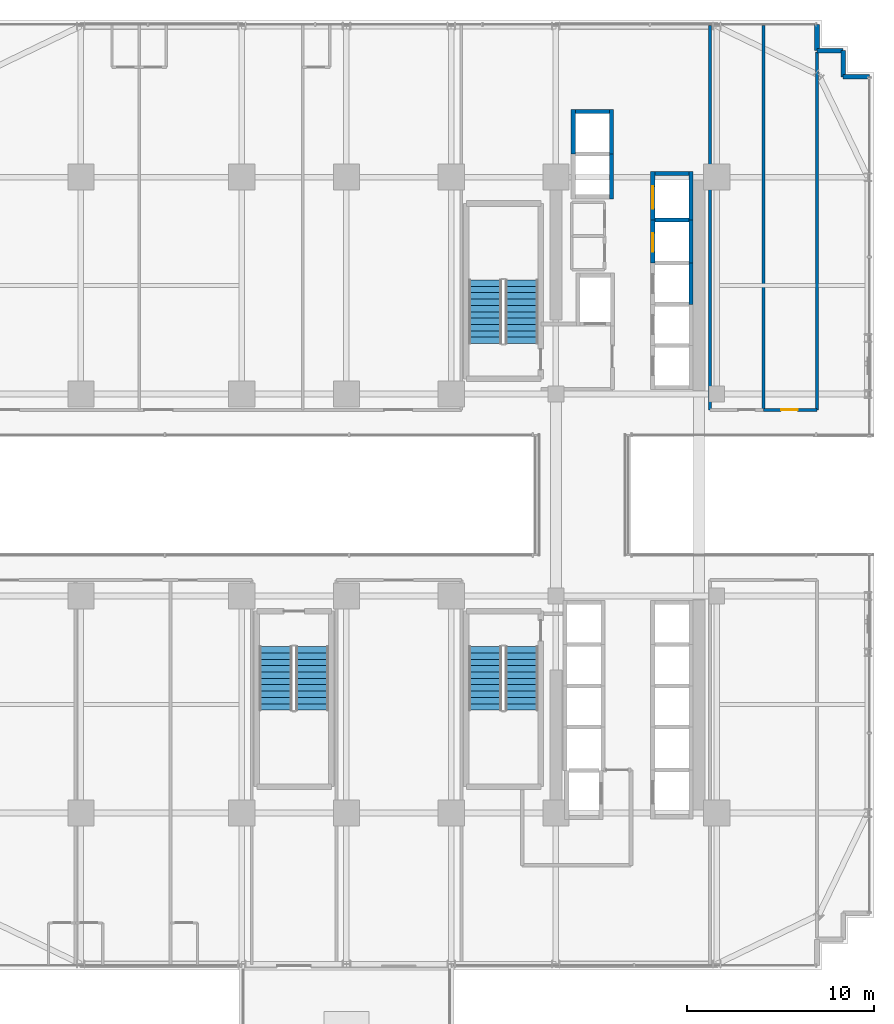
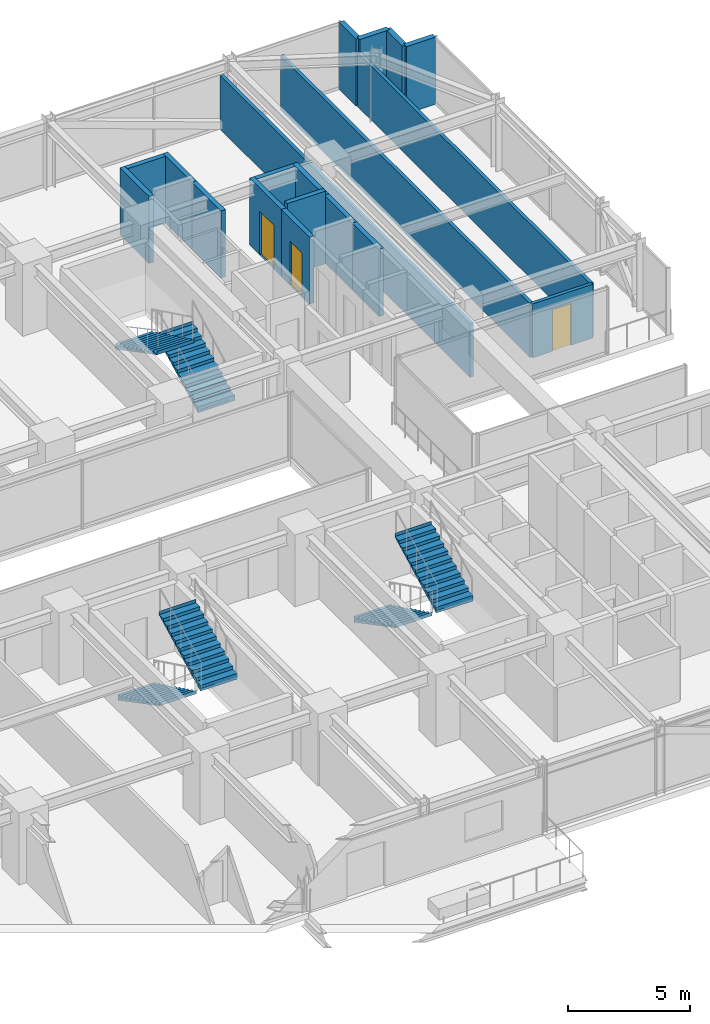
# One storey, part 34 of 38: 19 walls, 6 stair flights, 3 doors, 3 openings, 3 elements without a shape of their own.
"""IFC4 building model written with IfcOpenShell, lengths in metres."""

import ifcopenshell
import ifcopenshell.guid

model = None  # the IFC model being written
_history = None  # IfcOwnerHistory: only IFC2X3 demands one
_inside = {}  # id of a spatial element -> (the spatial element, [elements in it])
_under = {}  # id of a project, library or spatial element -> (it, [spatial elements below it])
_declared = {}  # id of a project -> (the project, [libraries it declares])
_typed = {}  # id of a type object -> (the type object, [elements of that type])
_made_of = {}  # id of a material, layer set ... -> (it, [elements and type objects made of it])


def new_model(schema):
    """Start an empty IFC model of exactly this schema.

    Asked for "IFC4X3", IfcOpenShell would pick the latest addendum, in which some entities
    have other attributes; the version numbers below select the first issue.
    IFC2X3 requires an IfcOwnerHistory on every rooted entity: one is made here for all.
    """
    global model, _history
    if schema == "IFC4X3":
        model = ifcopenshell.file(schema_version=(4, 3, 0, 0))
    else:
        model = ifcopenshell.file(schema=schema)
    _inside.clear()
    _under.clear()
    _declared.clear()
    _typed.clear()
    _made_of.clear()
    _history = None
    if model.schema == "IFC2X3":
        org = make("IfcOrganization", Name="unknown")
        user = make(
            "IfcPersonAndOrganization",
            ThePerson=make("IfcPerson", FamilyName="unknown"),
            TheOrganization=org,
        )
        app = make(
            "IfcApplication",
            ApplicationDeveloper=org,
            Version="unknown",
            ApplicationFullName="unknown",
            ApplicationIdentifier="unknown",
        )
        _history = make(
            "IfcOwnerHistory",
            OwningUser=user,
            OwningApplication=app,
            ChangeAction="ADDED",
            CreationDate=0,
        )
    return model


def make(cls, **values):
    """One entity of the class cls with the attributes given. An attribute that is None is left unset."""
    return model.create_entity(
        cls, **{name: value for name, value in values.items() if value is not None}
    )


def rooted(cls, **values):
    """An entity with a GlobalId (a new one), such as an element, a storey or a relation."""
    return make(cls, GlobalId=ifcopenshell.guid.new(), OwnerHistory=_history, **values)


def si_unit(unit_type, name, prefix=None):
    """IfcSIUnit, for example si_unit("LENGTHUNIT", "METRE", prefix="MILLI")."""
    return make("IfcSIUnit", UnitType=unit_type, Prefix=prefix, Name=name)


def assignment(units):
    """IfcUnitAssignment: the units of a project."""
    return None if units is None else make("IfcUnitAssignment", Units=units)


def point(xyz):
    """IfcCartesianPoint."""
    return None if xyz is None else make("IfcCartesianPoint", Coordinates=xyz)


def direction(xyz):
    """IfcDirection."""
    return None if xyz is None else make("IfcDirection", DirectionRatios=xyz)


def frame(location, z_axis=None, x_axis=None):
    """IfcAxis2Placement3D, a coordinate frame: its origin and axes. An axis left out is left unset."""
    return make(
        "IfcAxis2Placement3D",
        Location=point(location),
        Axis=direction(z_axis),
        RefDirection=direction(x_axis),
    )


def frame_2d(location, x_axis=None):
    """IfcAxis2Placement2D, a coordinate frame in the plane: its origin and x axis."""
    return make(
        "IfcAxis2Placement2D", Location=point(location), RefDirection=direction(x_axis)
    )


def origin():
    """The frame at (0, 0, 0) with its axes left unset."""
    return frame((0.0, 0.0, 0.0))


def place(relative_to, where):
    """IfcLocalPlacement: puts the frame where relative to a parent placement (None: the world)."""
    return make(
        "IfcLocalPlacement", PlacementRelTo=relative_to, RelativePlacement=where
    )


def context(
    kind, dimensions, precision=None, world=None, true_north=None, identifier=None
):
    """IfcGeometricRepresentationContext, for example the 3D "Model" context."""
    return make(
        "IfcGeometricRepresentationContext",
        ContextIdentifier=identifier,
        ContextType=kind,
        CoordinateSpaceDimension=dimensions,
        Precision=precision,
        WorldCoordinateSystem=world,
        TrueNorth=true_north,
    )


def subcontext(parent, identifier, kind, view, scale=None):
    """IfcGeometricRepresentationSubContext, for example "Body" below "Model"."""
    return make(
        "IfcGeometricRepresentationSubContext",
        ContextIdentifier=identifier,
        ContextType=kind,
        ParentContext=parent,
        TargetScale=scale,
        TargetView=view,
    )


def project(units=None, contexts=None):
    """IfcProject with its units and contexts."""
    return rooted(
        "IfcProject",
        Name="project",
        RepresentationContexts=contexts,
        UnitsInContext=assignment(units),
    )


def spatial(cls, under=None, at=None, **own):
    """A site, building, storey or space (cls), placed at a placement, below another one or the project."""
    s = rooted(cls, ObjectPlacement=at, **own)
    if under is not None:
        _under.setdefault(under.id(), (under, []))[1].append(s)
    return s


def polyline(points):
    """IfcPolyline through the points."""
    return make("IfcPolyline", Points=[point(p) for p in points])


def profile(cls, at=None, kind="AREA", **sizes):
    """A parametric profile (cls). Its sizes go by their IFC names, for example OverallWidth=200.0."""
    return make(cls, ProfileType=kind, Position=at, **sizes)


def rectangle(**sizes):
    """IfcRectangleProfileDef."""
    return profile("IfcRectangleProfileDef", **sizes)


def outline(outer, holes=None, kind="AREA"):
    """IfcArbitraryClosedProfileDef: a profile drawn as a closed curve; with holes, ...WithVoids."""
    if holes is None:
        return make("IfcArbitraryClosedProfileDef", ProfileType=kind, OuterCurve=outer)
    return make(
        "IfcArbitraryProfileDefWithVoids",
        ProfileType=kind,
        OuterCurve=outer,
        InnerCurves=holes,
    )


def extrude(swept, where, along, depth):
    """IfcExtrudedAreaSolid: the profile swept, set in the frame where, extruded along a direction by depth."""
    return make(
        "IfcExtrudedAreaSolid",
        SweptArea=swept,
        Position=where,
        ExtrudedDirection=direction(along),
        Depth=depth,
    )


def shape(context_of_items, identifier, shape_type, items):
    """IfcShapeRepresentation: the items that make up one representation, for example the "Body"."""
    return make(
        "IfcShapeRepresentation",
        ContextOfItems=context_of_items,
        RepresentationIdentifier=identifier,
        RepresentationType=shape_type,
        Items=items,
    )


def source(mapping_origin, context_of_items, identifier, shape_type, items):
    """IfcRepresentationMap: a shape defined once, which mapped items show again and again."""
    return make(
        "IfcRepresentationMap",
        MappingOrigin=mapping_origin,
        MappedRepresentation=shape(context_of_items, identifier, shape_type, items),
    )


def transform(
    local_origin,
    x_axis=None,
    y_axis=None,
    z_axis=None,
    scale=None,
    scale2=None,
    scale3=None,
    uniform=True,
):
    """IfcCartesianTransformationOperator3D, or its non-uniform kind. x_axis, y_axis, z_axis: its Axis1, 2, 3."""
    if uniform:
        return make(
            "IfcCartesianTransformationOperator3D",
            Axis1=direction(x_axis),
            Axis2=direction(y_axis),
            LocalOrigin=point(local_origin),
            Scale=scale,
            Axis3=direction(z_axis),
        )
    return make(
        "IfcCartesianTransformationOperator3DnonUniform",
        Axis1=direction(x_axis),
        Axis2=direction(y_axis),
        LocalOrigin=point(local_origin),
        Scale=scale,
        Axis3=direction(z_axis),
        Scale2=scale2,
        Scale3=scale3,
    )


def mapped(mapping_source, mapping_target):
    """IfcMappedItem: shows the shape of a source again, moved by a transform."""
    return make(
        "IfcMappedItem", MappingSource=mapping_source, MappingTarget=mapping_target
    )


def material(Name=None, Category=None):
    """IfcMaterial."""
    return make("IfcMaterial", Name=Name, Category=Category)


def layer(
    of_material, thickness, ventilated=None, Name=None, Category=None, Priority=None
):
    """IfcMaterialLayer: one layer of a wall or slab, of a material (None: an air gap)."""
    return make(
        "IfcMaterialLayer",
        Material=of_material,
        LayerThickness=thickness,
        IsVentilated=ventilated,
        Name=Name,
        Category=Category,
        Priority=Priority,
    )


def layer_set(layers, Name=None):
    """IfcMaterialLayerSet."""
    return make("IfcMaterialLayerSet", MaterialLayers=layers, LayerSetName=Name)


def made_of(thing, what):
    """Note that an element or type object is made of a material, layer set ...; save() writes the relation."""
    if what is not None:
        _made_of.setdefault(what.id(), (what, []))[1].append(thing)
    return thing


def type_object(cls, material=None, **own):
    """A type object (cls), such as IfcWallType, which elements share."""
    return made_of(rooted(cls, **own), material)


def element(
    cls,
    number,
    at=None,
    inside=None,
    cuts=None,
    type_object=None,
    material=None,
    context=None,
    identifier="Body",
    shape_type=None,
    held_by="IfcProductDefinitionShape",
    body=None,
    shapes=None,
    **own,
):
    """One element of the class cls, such as IfcWall. Its Tag is "e" and its number.

    at: its placement. inside: the storey or other place that contains it. cuts: it is an
    opening in that element (IfcRelVoidsElement). A single representation is given by context,
    identifier, shape_type and body (its items); several are given by shapes. held_by: the class
    of the entity that holds the representations. save() writes the other relations.
    """
    e = rooted(cls, Tag="e%d" % number, ObjectPlacement=at, **own)
    if body is not None:
        shapes = [shape(context, identifier, shape_type, body)]
    if shapes is not None:
        e.Representation = make(held_by, Representations=shapes)
    if inside is not None:
        _inside.setdefault(inside.id(), (inside, []))[1].append(e)
    if cuts is not None:
        rooted(
            "IfcRelVoidsElement", RelatingBuildingElement=cuts, RelatedOpeningElement=e
        )
    if type_object is not None:
        _typed.setdefault(type_object.id(), (type_object, []))[1].append(e)
    return made_of(e, material)


def fill(opening, filler):
    """IfcRelFillsElement: the door or window that sits in an opening."""
    return rooted(
        "IfcRelFillsElement",
        RelatingOpeningElement=opening,
        RelatedBuildingElement=filler,
    )


def aggregate(whole, parts):
    """IfcRelAggregates: a whole, such as a stair, and the parts it consists of."""
    return rooted("IfcRelAggregates", RelatingObject=whole, RelatedObjects=parts)


def save(model, path):
    """Write the relations noted so far, then the file.

    IfcRelAggregates (storeys below a building ...), IfcRelContainedInSpatialStructure (elements
    in a storey), IfcRelDefinesByType, IfcRelAssociatesMaterial and IfcRelDeclares: one each for
    every whole, place, type object, material and project.
    """
    for whole, parts in _under.values():
        aggregate(whole, parts)
    for where, things in _inside.values():
        rooted(
            "IfcRelContainedInSpatialStructure",
            RelatedElements=things,
            RelatingStructure=where,
        )
    for kind, things in _typed.values():
        rooted("IfcRelDefinesByType", RelatedObjects=things, RelatingType=kind)
    for what, things in _made_of.values():
        rooted("IfcRelAssociatesMaterial", RelatedObjects=things, RelatingMaterial=what)
    for by, libraries in _declared.values():
        rooted("IfcRelDeclares", RelatingContext=by, RelatedDefinitions=libraries)
    model.write(path)


model = new_model("IFC4")

# Units and contexts
model_context = context("Model", 3, precision=1e-05, world=origin(), true_north=direction((0.0, 1.0)))
body_context = subcontext(model_context, "Body", "Model", "MODEL_VIEW")
ifc_project = project(units=[si_unit("LENGTHUNIT", "METRE"), si_unit("AREAUNIT", "SQUARE_METRE"), si_unit("VOLUMEUNIT", "CUBIC_METRE"), si_unit("PLANEANGLEUNIT", "RADIAN"), si_unit("MASSUNIT", "GRAM", prefix="KILO")], contexts=[model_context])

# Site, building, storey
site_placement = place(None, origin())
site = spatial("IfcSite", under=ifc_project, at=site_placement, CompositionType="ELEMENT")
building_placement = place(site_placement, origin())
building = spatial("IfcBuilding", under=site, at=building_placement, Name="Nahalor Promenade Grand Hotel", CompositionType="ELEMENT")
storey_placement = place(building_placement, frame((0.0, 0.0, 50.64990234375)))
storey = spatial("IfcBuildingStorey", under=building, at=storey_placement, Name="L11", CompositionType="ELEMENT", Elevation=50.64990234375)

# Walls
ifc_material_1 = material(Name="Concrete B-50 (C40/50)", Category="concrete")
ifc_layer_1 = layer(ifc_material_1, 0.219970703125)
ifc_layer_set_1 = layer_set([ifc_layer_1], Name="Concrete B-50 (C40/50)")
wall_type_1 = type_object("IfcWallType", Name="Wall-LiftShaft-220", PredefinedType="SHEAR", material=ifc_layer_set_1)
shared_shape_1 = source(origin(), body_context, "Body", "SweptSolid", [
    extrude(rectangle(XDim=1.820068359375, YDim=0.219970703125, at=frame_2d((0.91015625, 0.0))), origin(), (0.0, 0.0, 1.0), 3.3701171875),
])
for number, where, z_axis, x_axis, name in (
    (1, (9.43994140625, 20.5, 0.0), (0.0, 0.0, 1.0), (1.0, 0.0, 0.0), "L11 Lift OB2 Hoistway Wall N"),
    (2, (13.68994140625, 17.199951171875, 0.0), (0.0, 0.0, 1.0), (1.0, 0.0, 0.0), "L11 Lift SV1 Hoistway Wall N"),
):
    element("IfcWall", number, at=place(storey_placement, frame(where, z_axis=z_axis, x_axis=x_axis)), inside=storey, type_object=wall_type_1, Name=name, PredefinedType="SHEAR", context=body_context, shape_type="MappedRepresentation", body=[
        mapped(shared_shape_1, transform((0.0, 0.0, 0.0), scale=1.0)),
    ])
shared_shape_2 = source(origin(), body_context, "Body", "SweptSolid", [
    extrude(rectangle(XDim=1.820068359375, YDim=0.219970703125, at=frame_2d((0.91015625, 0.0))), origin(), (0.0, 0.0, 1.0), 3.650146484375),
])
wall_1_placement = place(storey_placement, frame((13.68994140625, 14.699951171875, 0.0), z_axis=(0.0, 0.0, 1.0), x_axis=(1.0, 0.0, 0.0)))
element("IfcWall", 3, at=wall_1_placement, inside=storey, type_object=wall_type_1, Name="L11 Lift PL4 Hoistway Wall N", PredefinedType="SHEAR", context=body_context, shape_type="MappedRepresentation", body=[
    mapped(shared_shape_2, transform((0.0, 0.0, 0.0), scale=1.0)),
])
shared_shape_3 = source(origin(), body_context, "Body", "SweptSolid", [
    extrude(rectangle(XDim=2.199951171875, YDim=0.219970703125, at=frame_2d((1.10009765625, 0.0))), origin(), (0.0, 0.0, 1.0), 3.3701171875),
])
wall_2_placement = place(storey_placement, frame((15.6201171875, 10.199951171875, 0.0), z_axis=(0.0, 0.0, 1.0), x_axis=(0.0, 1.0, 0.0)))
element("IfcWall", 4, at=wall_2_placement, inside=storey, type_object=wall_type_1, Name="L11 Lift PL3 Hoistway Wall E", PredefinedType="SHEAR", context=body_context, shape_type="MappedRepresentation", body=[
    mapped(shared_shape_3, transform((0.0, 0.0, 0.0), scale=1.0)),
])

# Wall, opening, door
shared_shape_4 = source(origin(), body_context, "Body", "SweptSolid", [
    extrude(rectangle(XDim=2.300048828125, YDim=0.219970703125, at=frame_2d((1.14990234375, 0.0))), origin(), (0.0, 0.0, 1.0), 3.3701171875),
])
wall_3_placement = place(storey_placement, frame((13.580078125, 12.39990234375, 0.0), z_axis=(0.0, 0.0, 1.0), x_axis=(0.0, 1.0, 0.0)))
wall_3 = element("IfcWall", 5, at=wall_3_placement, inside=storey, type_object=wall_type_1, Name="L11 Lift PL4 Hoistway Wall W", PredefinedType="SHEAR", context=body_context, shape_type="MappedRepresentation", body=[
    mapped(shared_shape_4, transform((0.0, 0.0, 0.0), scale=1.0)),
])
opening_1_placement = place(wall_3_placement, frame((0.60009765625, 0.0, 0.0)))
opening_1 = element("IfcOpeningElement", 6, at=opening_1_placement, cuts=wall_3, Name="Opening LD-01", PredefinedType="OPENING", context=body_context, shape_type="SweptSolid", body=[
    extrude(rectangle(XDim=1.0, YDim=2.199951171875, at=frame_2d((0.5, 1.10009765625))), frame((0.0, 0.119873046875, 0.0), z_axis=(0.0, -1.0, 0.0), x_axis=(1.0, 0.0, 0.0)), (0.0, 0.0, 1.0), 0.239990234375),
])
ifc_material_2 = material(Name="Steel S355JR", Category="steel")
door_type_1 = type_object("IfcDoorType", Name="Door-LiftLanding-1000", OperationType="DOUBLE_DOOR_SLIDING", PredefinedType="DOOR", material=ifc_material_2)
shared_shape_5 = source(origin(), body_context, "Body", "SweptSolid", [
    extrude(rectangle(XDim=1.0, YDim=2.199951171875, at=frame_2d((0.5, 1.10009765625))), frame((0.0, 0.02490234375, 0.0), z_axis=(0.0, -1.0, 0.0), x_axis=(1.0, 0.0, 0.0)), (0.0, 0.0, 1.0), 0.050048828125),
])
door_1_placement = place(opening_1_placement, origin())
door_1 = element("IfcDoor", 7, at=door_1_placement, inside=storey, type_object=door_type_1, Name="DR-LIFT-PL4-L11", OperationType="DOUBLE_DOOR_SLIDING", OverallHeight=2.199951171875, OverallWidth=1.0, PredefinedType="DOOR", context=body_context, shape_type="MappedRepresentation", body=[
    mapped(shared_shape_5, transform((0.0, 0.0, 0.0), scale=1.0)),
])
fill(opening_1, door_1)

# Walls
wall_4_placement = place(storey_placement, frame((15.6201171875, 12.39990234375, 0.0), z_axis=(0.0, 0.0, 1.0), x_axis=(0.0, 1.0, 0.0)))
element("IfcWall", 8, at=wall_4_placement, inside=storey, type_object=wall_type_1, Name="L11 Lift PL4 Hoistway Wall E", PredefinedType="SHEAR", context=body_context, shape_type="MappedRepresentation", body=[
    mapped(shared_shape_4, transform((0.0, 0.0, 0.0), scale=1.0)),
])
shared_shape_6 = source(origin(), body_context, "Body", "SweptSolid", [
    extrude(rectangle(XDim=2.385009765625, YDim=0.219970703125, at=frame_2d((1.1923828125, 0.0))), origin(), (0.0, 0.0, 1.0), 3.3701171875),
])
for number, where, z_axis, x_axis, name in (
    (9, (11.3701171875, 15.840087890625, 0.0), (0.0, 0.0, 1.0), (0.0, 1.0, 0.0), "L11 Lift OB1 Hoistway Wall E"),
    (10, (9.330078125, 18.22509765625, 0.0), (0.0, 0.0, 1.0), (0.0, 1.0, 0.0), "L11 Lift OB2 Hoistway Wall W"),
    (11, (11.3701171875, 18.22509765625, 0.0), (0.0, 0.0, 1.0), (0.0, 1.0, 0.0), "L11 Lift OB2 Hoistway Wall E"),
):
    element("IfcWall", number, at=place(storey_placement, frame(where, z_axis=z_axis, x_axis=x_axis)), inside=storey, type_object=wall_type_1, Name=name, PredefinedType="SHEAR", context=body_context, shape_type="MappedRepresentation", body=[
        mapped(shared_shape_6, transform((0.0, 0.0, 0.0), scale=1.0)),
    ])

# Wall, opening, door
shared_shape_7 = source(origin(), body_context, "Body", "SweptSolid", [
    extrude(rectangle(XDim=2.610107421875, YDim=0.219970703125, at=frame_2d((1.30517578125, 0.0))), origin(), (0.0, 0.0, 1.0), 3.3701171875),
])
wall_5_placement = place(storey_placement, frame((13.580078125, 14.699951171875, 0.0), z_axis=(0.0, 0.0, 1.0), x_axis=(0.0, 1.0, 0.0)))
wall_5 = element("IfcWall", 12, at=wall_5_placement, inside=storey, type_object=wall_type_1, Name="L11 Lift SV1 Hoistway Wall W", PredefinedType="SHEAR", context=body_context, shape_type="MappedRepresentation", body=[
    mapped(shared_shape_7, transform((0.0, 0.0, 0.0), scale=1.0)),
])
opening_2_placement = place(wall_5_placement, frame((0.60009765625, 0.0, 0.0)))
opening_2 = element("IfcOpeningElement", 13, at=opening_2_placement, cuts=wall_5, Name="Opening LD-03", PredefinedType="OPENING", context=body_context, shape_type="SweptSolid", body=[
    extrude(rectangle(XDim=1.199951171875, YDim=2.199951171875, at=frame_2d((0.60009765625, 1.10009765625))), frame((0.0, 0.119873046875, 0.0), z_axis=(0.0, -1.0, 0.0), x_axis=(1.0, 0.0, 0.0)), (0.0, 0.0, 1.0), 0.239990234375),
])
door_type_2 = type_object("IfcDoorType", Name="Door-LiftService-1200", OperationType="DOUBLE_DOOR_SLIDING", PredefinedType="DOOR", material=ifc_material_2)
shared_shape_8 = source(origin(), body_context, "Body", "SweptSolid", [
    extrude(rectangle(XDim=1.199951171875, YDim=2.199951171875, at=frame_2d((0.60009765625, 1.10009765625))), frame((0.0, 0.02490234375, 0.0), z_axis=(0.0, -1.0, 0.0), x_axis=(1.0, 0.0, 0.0)), (0.0, 0.0, 1.0), 0.050048828125),
])
door_2_placement = place(opening_2_placement, origin())
door_2 = element("IfcDoor", 14, at=door_2_placement, inside=storey, type_object=door_type_2, Name="DR-LIFT-SV1-L11", OperationType="DOUBLE_DOOR_SLIDING", OverallHeight=2.199951171875, OverallWidth=1.199951171875, PredefinedType="DOOR", context=body_context, shape_type="MappedRepresentation", body=[
    mapped(shared_shape_8, transform((0.0, 0.0, 0.0), scale=1.0)),
])
fill(opening_2, door_2)

# Walls
wall_6_placement = place(storey_placement, frame((15.6201171875, 14.699951171875, 0.0), z_axis=(0.0, 0.0, 1.0), x_axis=(0.0, 1.0, 0.0)))
element("IfcWall", 15, at=wall_6_placement, inside=storey, type_object=wall_type_1, Name="L11 Lift SV1 Hoistway Wall E", PredefinedType="SHEAR", context=body_context, shape_type="MappedRepresentation", body=[
    mapped(shared_shape_7, transform((0.0, 0.0, 0.0), scale=1.0)),
])
ifc_material_3 = material(Name="Concrete B-40 (C32/40)", Category="concrete")
ifc_layer_2 = layer(ifc_material_3, 0.25)
ifc_layer_set_2 = layer_set([ifc_layer_2], Name="Concrete B-40 (C32/40)")
wall_type_2 = type_object("IfcWallType", Name="Wall-BronzePier-250", PredefinedType="STANDARD", material=ifc_layer_set_2)
shared_shape_9 = source(origin(), body_context, "Body", "SweptSolid", [
    extrude(rectangle(XDim=1.39990234375, YDim=0.25, at=frame_2d((0.699951171875, 0.0))), origin(), (0.0, 0.0, 1.0), 3.3701171875),
])
for number, where, z_axis, x_axis, name in (
    (16, (23.760009765625, 22.360107421875, 0.0), (0.0, 0.0, 1.0), (1.0, 0.0, 0.0), "W-L11-SR-05"),
    (17, (23.760009765625, 22.360107421875, 0.0), (0.0, 0.0, 1.0), (0.0, 1.0, 0.0), "W-L11-SR-06"),
    (18, (22.360107421875, 23.760009765625, 0.0), (0.0, 0.0, 1.0), (1.0, 0.0, 0.0), "W-L11-SR-07"),
    (19, (22.360107421875, 23.760009765625, 0.0), (0.0, 0.0, 1.0), (0.0, 1.0, 0.0), "W-L11-SR-08"),
):
    element("IfcWall", number, at=place(storey_placement, frame(where, z_axis=z_axis, x_axis=x_axis)), inside=storey, type_object=wall_type_2, Name=name, PredefinedType="STANDARD", context=body_context, shape_type="MappedRepresentation", body=[
        mapped(shared_shape_9, transform((0.0, 0.0, 0.0), scale=1.0)),
    ])
ifc_material_4 = material(Name="Acoustic Mineral Gypsum", Category="gypsum")
ifc_layer_3 = layer(ifc_material_4, 0.159912109375)
ifc_layer_set_3 = layer_set([ifc_layer_3], Name="Acoustic Mineral Gypsum")
wall_type_3 = type_object("IfcWallType", Name="Wall-PartCorridor-160", PredefinedType="PARTITIONING", material=ifc_layer_set_3)
shared_shape_10 = source(origin(), body_context, "Body", "SweptSolid", [
    extrude(rectangle(XDim=20.550048828125, YDim=0.159912109375, at=frame_2d((10.27490234375, 0.0))), origin(), (0.0, 0.0, 1.0), 2.710205078125),
])
for number, where, z_axis, x_axis, name in (
    (20, (16.64990234375, 4.550048828125, 0.0), (0.0, 0.0, 1.0), (0.0, 1.0, 0.0), "W-L11-ENE1-W"),
    (21, (19.5048828125, 4.550048828125, 0.0), (0.0, 0.0, 1.0), (0.0, 1.0, 0.0), "W-L11-ENE1-E"),
):
    element("IfcWall", number, at=place(storey_placement, frame(where, z_axis=z_axis, x_axis=x_axis)), inside=storey, type_object=wall_type_3, Name=name, PredefinedType="PARTITIONING", context=body_context, shape_type="MappedRepresentation", body=[
        mapped(shared_shape_10, transform((0.0, 0.0, 0.0), scale=1.0)),
    ])
shared_shape_11 = source(origin(), body_context, "Body", "SweptSolid", [
    extrude(rectangle(XDim=19.1298828125, YDim=0.159912109375, at=frame_2d((9.56494140625, 0.0))), origin(), (0.0, 0.0, 1.0), 2.710205078125),
])
wall_7_placement = place(storey_placement, frame((22.360107421875, 4.550048828125, 0.0), z_axis=(0.0, 0.0, 1.0), x_axis=(0.0, 1.0, 0.0)))
element("IfcWall", 22, at=wall_7_placement, inside=storey, type_object=wall_type_3, Name="W-L11-ENE2-E", PredefinedType="PARTITIONING", context=body_context, shape_type="MappedRepresentation", body=[
    mapped(shared_shape_11, transform((0.0, 0.0, 0.0), scale=1.0)),
])

# Wall, opening, door
shared_shape_12 = source(origin(), body_context, "Body", "SweptSolid", [
    extrude(rectangle(XDim=2.855224609375, YDim=0.159912109375, at=frame_2d((1.427734375, 0.0))), origin(), (0.0, 0.0, 1.0), 2.710205078125),
])
wall_8_placement = place(storey_placement, frame((19.5048828125, 4.550048828125, 0.0), z_axis=(0.0, 0.0, 1.0), x_axis=(1.0, 0.0, 0.0)))
wall_8 = element("IfcWall", 23, at=wall_8_placement, inside=storey, type_object=wall_type_3, Name="W-L11-ENE2-S", PredefinedType="PARTITIONING", context=body_context, shape_type="MappedRepresentation", body=[
    mapped(shared_shape_12, transform((0.0, 0.0, 0.0), scale=1.0)),
])
opening_3_placement = place(wall_8_placement, frame((0.93994140625, 0.0, 0.0)))
opening_3 = element("IfcOpeningElement", 24, at=opening_3_placement, cuts=wall_8, Name="Opening D-03", PredefinedType="OPENING", context=body_context, shape_type="SweptSolid", body=[
    extrude(rectangle(XDim=0.8798828125, YDim=2.10009765625, at=frame_2d((0.43994140625, 1.050048828125))), frame((0.0, 0.08984375, 0.0), z_axis=(0.0, -1.0, 0.0), x_axis=(1.0, 0.0, 0.0)), (0.0, 0.0, 1.0), 0.179931640625),
])
ifc_material_5 = material(Name="Fire-Rated Timber Composite", Category="wood")
door_type_3 = type_object("IfcDoorType", Name="Door-BathSwing-880", OperationType="NOTDEFINED", PredefinedType="DOOR", material=ifc_material_5)
shared_shape_13 = source(origin(), body_context, "Body", "SweptSolid", [
    extrude(rectangle(XDim=0.8798828125, YDim=2.10009765625, at=frame_2d((0.43994140625, 1.050048828125))), frame((0.0, 0.02490234375, 0.0), z_axis=(0.0, -1.0, 0.0), x_axis=(1.0, 0.0, 0.0)), (0.0, 0.0, 1.0), 0.050048828125),
])
door_3_placement = place(opening_3_placement, origin())
door_3 = element("IfcDoor", 25, at=door_3_placement, inside=storey, type_object=door_type_3, Name="DR-L11-ENE2", OperationType="SINGLE_SWING_LEFT", OverallHeight=2.10009765625, OverallWidth=0.8798828125, PredefinedType="DOOR", context=body_context, shape_type="MappedRepresentation", body=[
    mapped(shared_shape_13, transform((0.0, 0.0, 0.0), scale=1.0)),
])
fill(opening_3, door_3)

# Stair, stair flights
stair_type_1 = type_object("IfcStairType", Name="Stair-ST1", PredefinedType="HALF_TURN_STAIR", material=ifc_material_1)
stair_1_placement = place(storey_placement, origin())
stair_1 = element("IfcStair", 26, at=stair_1_placement, inside=storey, type_object=stair_type_1, Name="L11 ST1", PredefinedType="HALF_TURN_STAIR")
ifc_layer_4 = layer(ifc_material_1, 0.179931640625)
ifc_layer_set_4 = layer_set([ifc_layer_4], Name="Concrete B-50 (C40/50)")
stair_flight_type_1 = type_object("IfcStairFlightType", Name="Flight-ST1", PredefinedType="STRAIGHT", material=ifc_layer_set_4)
shared_shape_14 = source(origin(), body_context, "Body", "SweptSolid", [
    extrude(outline(polyline([(-0.00390625, -0.1201171875), (-0.00390625, 0.0), (0.0, 0.0), (0.0, 0.166015625), (0.340087890625, 0.166015625), (0.340087890625, 0.331787109375), (0.679931640625, 0.331787109375), (0.679931640625, 0.497802734375), (1.02001953125, 0.497802734375), (1.02001953125, 0.66357421875), (1.360107421875, 0.66357421875), (1.360107421875, 0.82958984375), (1.699951171875, 0.82958984375), (1.699951171875, 0.995361328125), (2.0400390625, 0.995361328125), (2.0400390625, 1.161376953125), (2.3798828125, 1.161376953125), (2.3798828125, 1.327392578125), (2.719970703125, 1.327392578125), (2.719970703125, 1.4931640625), (3.06005859375, 1.4931640625), (3.06005859375, 1.6591796875), (3.39990234375, 1.6591796875), (3.39990234375, 1.824951171875), (3.404052734375, 1.824951171875), (3.404052734375, 1.64501953125), (0.02001953125, -0.1201171875), (-0.00390625, -0.1201171875)])), frame((0.0, 0.875, 0.0), z_axis=(0.0, -1.0, 0.0), x_axis=(1.0, 0.0, 0.0)), (0.0, 0.0, 1.0), 1.75),
])
stair_flight_1_placement = place(storey_placement, frame((6.574951171875, 8.10009765625, 0.0), z_axis=(0.0, 0.0, 1.0), x_axis=(0.0, 1.0, 0.0)))
stair_flight_1 = element("IfcStairFlight", 27, at=stair_flight_1_placement, type_object=stair_flight_type_1, Name="ST1 flight 1", NumberOfRisers=11, NumberOfTreads=10, PredefinedType="STRAIGHT", RiserHeight=0.165909091, TreadLength=0.34, context=body_context, shape_type="MappedRepresentation", body=[
    mapped(shared_shape_14, transform((0.0, 0.0, 0.0), scale=1.0)),
])
stair_flight_2_placement = place(storey_placement, frame((4.625, 11.5, 1.8251953125), z_axis=(0.0, 0.0, 1.0), x_axis=(0.0, -1.0, 0.0)))
stair_flight_2 = element("IfcStairFlight", 28, at=stair_flight_2_placement, type_object=stair_flight_type_1, Name="ST1 flight 2", NumberOfRisers=11, NumberOfTreads=10, PredefinedType="STRAIGHT", RiserHeight=0.165909091, TreadLength=0.34, context=body_context, shape_type="MappedRepresentation", body=[
    mapped(shared_shape_14, transform((0.0, 0.0, 0.0), scale=1.0)),
])
aggregate(stair_1, [stair_flight_1, stair_flight_2])

stair_type_2 = type_object("IfcStairType", Name="Stair-ST2", PredefinedType="HALF_TURN_STAIR", material=ifc_material_1)
stair_2_placement = place(storey_placement, origin())
stair_2 = element("IfcStair", 29, at=stair_2_placement, inside=storey, type_object=stair_type_2, Name="L11 ST2", PredefinedType="HALF_TURN_STAIR")
ifc_layer_5 = layer(ifc_material_1, 0.18994140625)
ifc_layer_set_5 = layer_set([ifc_layer_5], Name="Concrete B-50 (C40/50)")
stair_flight_type_2 = type_object("IfcStairFlightType", Name="Flight-ST2", PredefinedType="STRAIGHT", material=ifc_layer_set_5)
shared_shape_15 = source(origin(), body_context, "Body", "SweptSolid", [
    extrude(outline(polyline([(-0.00390625, -0.1201171875), (-0.00390625, 0.0), (0.0, 0.0), (0.0, 0.166015625), (0.340087890625, 0.166015625), (0.340087890625, 0.331787109375), (0.679931640625, 0.331787109375), (0.679931640625, 0.497802734375), (1.02001953125, 0.497802734375), (1.02001953125, 0.66357421875), (1.360107421875, 0.66357421875), (1.360107421875, 0.82958984375), (1.699951171875, 0.82958984375), (1.699951171875, 0.995361328125), (2.0400390625, 0.995361328125), (2.0400390625, 1.161376953125), (2.3798828125, 1.161376953125), (2.3798828125, 1.327392578125), (2.719970703125, 1.327392578125), (2.719970703125, 1.4931640625), (3.06005859375, 1.4931640625), (3.06005859375, 1.6591796875), (3.39990234375, 1.6591796875), (3.39990234375, 1.824951171875), (3.404052734375, 1.824951171875), (3.404052734375, 1.64501953125), (0.02001953125, -0.1201171875), (-0.00390625, -0.1201171875)])), frame((0.0, 0.875, 0.0), z_axis=(0.0, -1.0, 0.0), x_axis=(1.0, 0.0, 0.0)), (0.0, 0.0, 1.0), 1.75),
])
stair_flight_3_placement = place(storey_placement, frame((4.625, -8.10009765625, 0.0), z_axis=(0.0, 0.0, 1.0), x_axis=(0.0, -1.0, 0.0)))
stair_flight_3 = element("IfcStairFlight", 30, at=stair_flight_3_placement, type_object=stair_flight_type_2, Name="ST2 flight 1", NumberOfRisers=11, NumberOfTreads=10, PredefinedType="STRAIGHT", RiserHeight=0.165909091, TreadLength=0.34, context=body_context, shape_type="MappedRepresentation", body=[
    mapped(shared_shape_15, transform((0.0, 0.0, 0.0), scale=1.0)),
])
stair_flight_4_placement = place(storey_placement, frame((6.574951171875, -11.5, 1.8251953125), z_axis=(0.0, 0.0, 1.0), x_axis=(0.0, 1.0, 0.0)))
stair_flight_4 = element("IfcStairFlight", 31, at=stair_flight_4_placement, type_object=stair_flight_type_2, Name="ST2 flight 2", NumberOfRisers=11, NumberOfTreads=10, PredefinedType="STRAIGHT", RiserHeight=0.165909091, TreadLength=0.34, context=body_context, shape_type="MappedRepresentation", body=[
    mapped(shared_shape_15, transform((0.0, 0.0, 0.0), scale=1.0)),
])
aggregate(stair_2, [stair_flight_3, stair_flight_4])

stair_type_3 = type_object("IfcStairType", Name="Stair-ST3", PredefinedType="HALF_TURN_STAIR", material=ifc_material_1)
stair_3_placement = place(storey_placement, origin())
stair_3 = element("IfcStair", 32, at=stair_3_placement, inside=storey, type_object=stair_type_3, Name="L11 ST3", PredefinedType="HALF_TURN_STAIR")
ifc_layer_6 = layer(ifc_material_1, 0.199951171875)
ifc_layer_set_6 = layer_set([ifc_layer_6], Name="Concrete B-50 (C40/50)")
stair_flight_type_3 = type_object("IfcStairFlightType", Name="Flight-ST3", PredefinedType="STRAIGHT", material=ifc_layer_set_6)
shared_shape_16 = source(origin(), body_context, "Body", "SweptSolid", [
    extrude(outline(polyline([(-0.00390625, -0.1201171875), (-0.00390625, 0.0), (0.0, 0.0), (0.0, 0.166015625), (0.340087890625, 0.166015625), (0.340087890625, 0.331787109375), (0.679931640625, 0.331787109375), (0.679931640625, 0.497802734375), (1.02001953125, 0.497802734375), (1.02001953125, 0.66357421875), (1.360107421875, 0.66357421875), (1.360107421875, 0.82958984375), (1.699951171875, 0.82958984375), (1.699951171875, 0.995361328125), (2.0400390625, 0.995361328125), (2.0400390625, 1.161376953125), (2.3798828125, 1.161376953125), (2.3798828125, 1.327392578125), (2.719970703125, 1.327392578125), (2.719970703125, 1.4931640625), (3.06005859375, 1.4931640625), (3.06005859375, 1.6591796875), (3.39990234375, 1.6591796875), (3.39990234375, 1.824951171875), (3.404052734375, 1.824951171875), (3.404052734375, 1.64501953125), (0.02001953125, -0.1201171875), (-0.00390625, -0.1201171875)])), frame((0.0, 0.875, 0.0), z_axis=(0.0, -1.0, 0.0), x_axis=(1.0, 0.0, 0.0)), (0.0, 0.0, 1.0), 1.75),
])
stair_flight_5_placement = place(storey_placement, frame((-6.574951171875, -8.10009765625, 0.0), z_axis=(0.0, 0.0, 1.0), x_axis=(0.0, -1.0, 0.0)))
stair_flight_5 = element("IfcStairFlight", 33, at=stair_flight_5_placement, type_object=stair_flight_type_3, Name="ST3 flight 1", NumberOfRisers=11, NumberOfTreads=10, PredefinedType="STRAIGHT", RiserHeight=0.165909091, TreadLength=0.34, context=body_context, shape_type="MappedRepresentation", body=[
    mapped(shared_shape_16, transform((0.0, 0.0, 0.0), scale=1.0)),
])
stair_flight_6_placement = place(storey_placement, frame((-4.625, -11.5, 1.8251953125), z_axis=(0.0, 0.0, 1.0), x_axis=(0.0, 1.0, 0.0)))
stair_flight_6 = element("IfcStairFlight", 34, at=stair_flight_6_placement, type_object=stair_flight_type_3, Name="ST3 flight 2", NumberOfRisers=11, NumberOfTreads=10, PredefinedType="STRAIGHT", RiserHeight=0.165909091, TreadLength=0.34, context=body_context, shape_type="MappedRepresentation", body=[
    mapped(shared_shape_16, transform((0.0, 0.0, 0.0), scale=1.0)),
])
aggregate(stair_3, [stair_flight_5, stair_flight_6])

save(model, "model.ifc")
